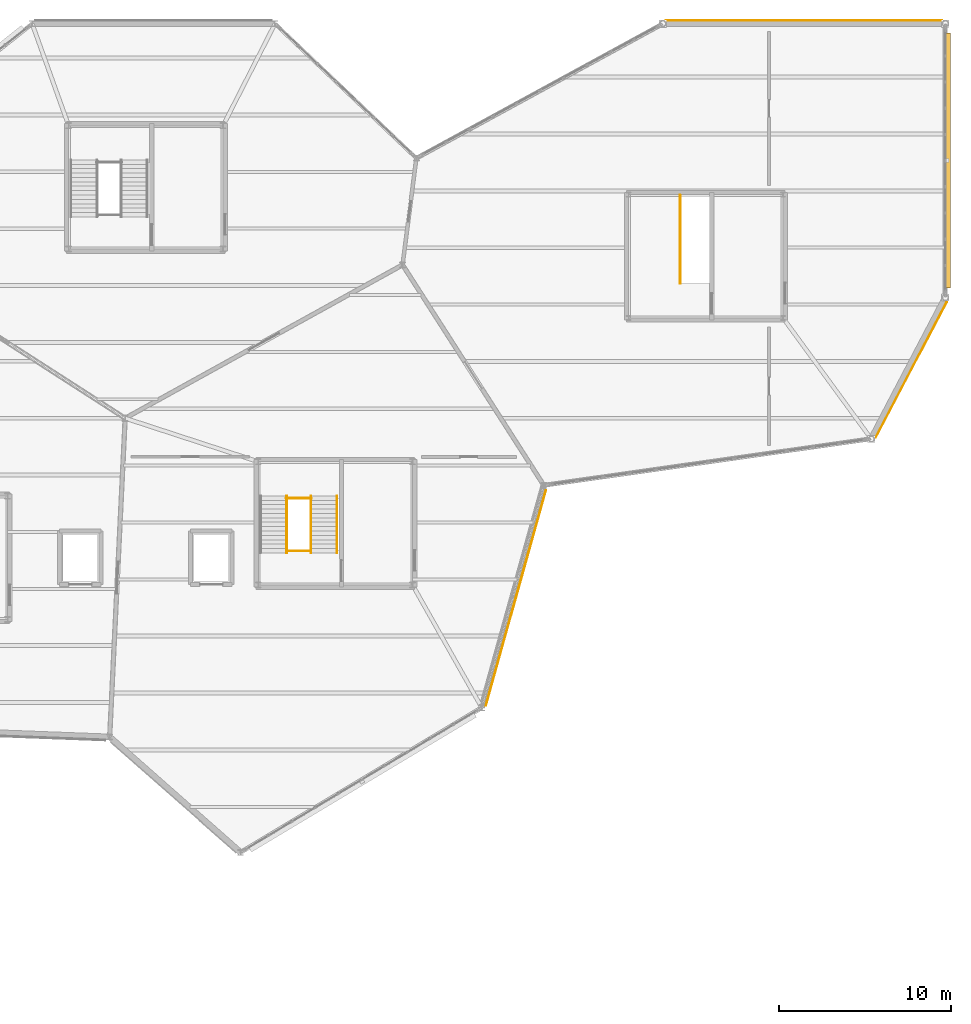
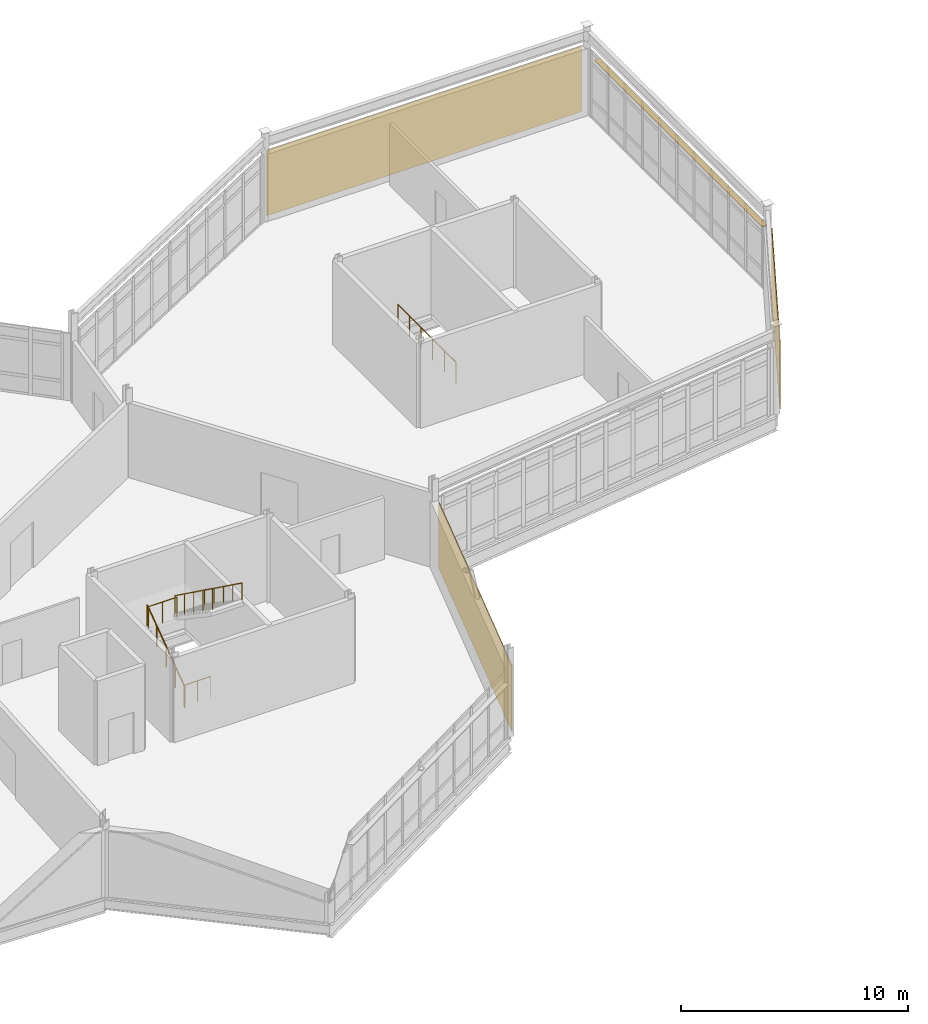
# One storey, part 114 of 114: 6 railings, 3 coverings, 1 shading device.
"""IFC4 building model written with IfcOpenShell, lengths in metres."""

from ifc_helpers import new_model, si_unit, direction, frame, frame_2d, origin, origin_2d, place, context, subcontext, project, spatial, rectangle, circle, extrude, material, layer, layer_set, type_object, element, save


model = new_model("IFC4")

# Units and contexts
model_context = context("Model", 3, precision=1e-05, world=origin(), true_north=direction((0.0, 1.0)))
body_context = subcontext(model_context, "Body", "Model", "MODEL_VIEW")
ifc_project = project(units=[si_unit("LENGTHUNIT", "METRE"), si_unit("AREAUNIT", "SQUARE_METRE"), si_unit("VOLUMEUNIT", "CUBIC_METRE"), si_unit("PLANEANGLEUNIT", "RADIAN"), si_unit("MASSUNIT", "GRAM", prefix="KILO")], contexts=[model_context])

# Site, building, storey
site_placement = place(None, origin())
site = spatial("IfcSite", under=ifc_project, at=site_placement, CompositionType="ELEMENT")
building_placement = place(site_placement, origin())
building = spatial("IfcBuilding", under=site, at=building_placement, Name="Tameran Prism Museum", CompositionType="ELEMENT")
storey_placement = place(building_placement, frame((0.0, 0.0, 10.199951171875)))
storey = spatial("IfcBuildingStorey", under=building, at=storey_placement, Name="L02", CompositionType="ELEMENT", Elevation=10.199951171875)

# Coverings
ifc_material_1 = material(Name="White Fluted Mineral Precast GRC", Category="concrete")
ifc_layer_1 = layer(ifc_material_1, 0.044921875)
ifc_layer_set_1 = layer_set([ifc_layer_1])
covering_type = type_object("IfcCoveringType", Name="CV-FLUTE-WHT", PredefinedType="CLADDING", material=ifc_layer_set_1)
covering_1_placement = place(storey_placement, frame((143.218994140625, 84.91796875, 0.050048828125), z_axis=(0.0, 0.0, 1.0), x_axis=(-0.268857839587, -0.963179870062, 0.0)))
element("IfcCovering", 1, at=covering_1_placement, inside=storey, type_object=covering_type, Name="Vertical Fluted White Precast Panel CL-0029", PredefinedType="CLADDING", context=body_context, shape_type="SweptSolid", body=[
    extrude(rectangle(XDim=12.9736328125, YDim=0.044921875, at=frame_2d((6.48681640625, 0.0))), origin(), (0.0, 0.0, 1.0), 3.52001953125),
])
covering_2_placement = place(storey_placement, frame((166.485107421875, 95.85205078125, 0.050048828125), z_axis=(0.0, 0.0, 1.0), x_axis=(-0.464435442835, -0.885606977976, 0.0)))
element("IfcCovering", 2, at=covering_2_placement, inside=storey, type_object=covering_type, Name="Vertical Fluted White Precast Panel CL-0032", PredefinedType="CLADDING", context=body_context, shape_type="SweptSolid", body=[
    extrude(rectangle(XDim=8.899169921875, YDim=0.044921875, at=frame_2d((4.44970703125, 0.0))), origin(), (0.0, 0.0, 1.0), 3.52001953125),
])
covering_3_placement = place(storey_placement, frame((150.179931640625, 112.18994140625, 0.050048828125), z_axis=(0.0, 0.0, 1.0), x_axis=(1.0, 0.0, 0.0)))
element("IfcCovering", 3, at=covering_3_placement, inside=storey, type_object=covering_type, Name="Vertical Fluted White Precast Panel CL-0033", PredefinedType="CLADDING", context=body_context, shape_type="SweptSolid", body=[
    extrude(rectangle(XDim=16.0400390625, YDim=0.044921875, at=frame_2d((8.02001953125, 0.0))), origin(), (0.0, 0.0, 1.0), 3.52001953125),
])

# Railings
ifc_material_2 = material(Name="Marine Stainless Steel 316", Category="steel")
ifc_layer_2 = layer(ifc_material_2, 0.054931640625)
ifc_layer_set_2 = layer_set([ifc_layer_2])
railing_type_1 = type_object("IfcRailingType", Name="RL-GR-1120", PredefinedType="GUARDRAIL", material=ifc_layer_set_2)
railing_1_placement = place(storey_placement, frame((128.18994140625, 81.39990234375, 0.0)))
element("IfcRailing", 4, at=railing_1_placement, inside=storey, type_object=railing_type_1, Name="Stair Well Slot Guard GR-S040", PredefinedType="GUARDRAIL", context=body_context, shape_type="SweptSolid", body=[
    extrude(circle(Radius=0.02392578125, at=origin_2d()), frame((0.0, 0.0, 1.1259765625), z_axis=(1.0, 0.0, 0.0), x_axis=(0.0, 1.0, 0.0)), (0.0, 0.0, 1.0), 1.3701171875),
    extrude(circle(Radius=0.02099609375, at=origin_2d()), origin(), (0.0, 0.0, 1.0), 1.101806640625),
    extrude(circle(Radius=0.02099609375, at=origin_2d()), frame((0.68505859375, 0.0, 0.0)), (0.0, 0.0, 1.0), 1.101806640625),
    extrude(circle(Radius=0.02099609375, at=origin_2d()), frame((1.3701171875, 0.0, 0.0)), (0.0, 0.0, 1.0), 1.101806640625),
])
railing_2_placement = place(storey_placement, frame((128.169921875, 81.280029296875, 0.0)))
element("IfcRailing", 5, at=railing_2_placement, inside=storey, type_object=railing_type_1, Name="Stair Well Guardrail GR-S041", PredefinedType="GUARDRAIL", context=body_context, shape_type="SweptSolid", body=[
    extrude(circle(Radius=0.02392578125, at=origin_2d()), frame((0.0, 0.0, 1.1259765625), z_axis=(0.0, 0.809980229442, 0.586457183359), x_axis=(-1.0, 0.0, 0.0)), (0.0, 0.0, 1.0), 4.092529296875),
    extrude(circle(Radius=0.02099609375, at=origin_2d()), origin(), (0.0, 0.0, 1.0), 1.101806640625),
    extrude(circle(Radius=0.02099609375, at=origin_2d()), frame((0.0, 0.82861328125, 0.60009765625)), (0.0, 0.0, 1.0), 1.101806640625),
    extrude(circle(Radius=0.02099609375, at=origin_2d()), frame((0.0, 1.657470703125, 1.2001953125)), (0.0, 0.0, 1.0), 1.101806640625),
    extrude(circle(Radius=0.02099609375, at=origin_2d()), frame((0.0, 2.486328125, 1.800048828125)), (0.0, 0.0, 1.0), 1.101806640625),
    extrude(circle(Radius=0.02099609375, at=origin_2d()), frame((0.0, 3.31494140625, 2.400146484375)), (0.0, 0.0, 1.0), 1.101806640625),
])
railing_3_placement = place(storey_placement, frame((129.580078125, 84.594970703125, 2.400146484375)))
element("IfcRailing", 6, at=railing_3_placement, inside=storey, type_object=railing_type_1, Name="Stair Well Guardrail GR-S042", PredefinedType="GUARDRAIL", context=body_context, shape_type="SweptSolid", body=[
    extrude(circle(Radius=0.02392578125, at=origin_2d()), frame((0.0, 0.0, 1.1259765625), z_axis=(0.0, -0.810008566192, 0.586418044312), x_axis=(1.0, 0.0, 0.0)), (0.0, 0.0, 1.0), 4.092529296875),
    extrude(circle(Radius=0.02099609375, at=origin_2d()), origin(), (0.0, 0.0, 1.0), 1.101806640625),
    extrude(circle(Radius=0.02099609375, at=origin_2d()), frame((0.0, -0.82861328125, 0.60009765625)), (0.0, 0.0, 1.0), 1.101806640625),
    extrude(circle(Radius=0.02099609375, at=origin_2d()), frame((0.0, -1.657470703125, 1.199951171875)), (0.0, 0.0, 1.0), 1.101806640625),
    extrude(circle(Radius=0.02099609375, at=origin_2d()), frame((0.0, -2.486328125, 1.7998046875)), (0.0, 0.0, 1.0), 1.101806640625),
    extrude(circle(Radius=0.02099609375, at=origin_2d()), frame((0.0, -3.31494140625, 2.39990234375)), (0.0, 0.0, 1.0), 1.101806640625),
])
railing_4_placement = place(storey_placement, frame((128.14990234375, 84.455078125, 2.400146484375)))
element("IfcRailing", 7, at=railing_4_placement, inside=storey, type_object=railing_type_1, Name="Landing Well Guardrail GR-S043", PredefinedType="GUARDRAIL", context=body_context, shape_type="SweptSolid", body=[
    extrude(circle(Radius=0.02392578125, at=origin_2d()), frame((0.0, 0.0, 1.1259765625), z_axis=(1.0, 0.0, 0.0), x_axis=(0.0, 1.0, 0.0)), (0.0, 0.0, 1.0), 1.4501953125),
    extrude(circle(Radius=0.02099609375, at=origin_2d()), origin(), (0.0, 0.0, 1.0), 1.101806640625),
    extrude(circle(Radius=0.02099609375, at=origin_2d()), frame((0.72509765625, 0.0, 0.0)), (0.0, 0.0, 1.0), 1.101806640625),
    extrude(circle(Radius=0.02099609375, at=origin_2d()), frame((1.4501953125, 0.0, 0.0)), (0.0, 0.0, 1.0), 1.101806640625),
])
railing_5_placement = place(storey_placement, frame((151.010009765625, 96.919921875, 0.0)))
element("IfcRailing", 8, at=railing_5_placement, inside=storey, type_object=railing_type_1, Name="Stair Well Slot Guard GR-S184", PredefinedType="GUARDRAIL", context=body_context, shape_type="SweptSolid", body=[
    extrude(circle(Radius=0.02392578125, at=origin_2d()), frame((0.0, 0.0, 1.1259765625), z_axis=(0.0, 1.0, 0.0), x_axis=(-1.0, 0.0, 0.0)), (0.0, 0.0, 1.0), 5.130126953125),
    extrude(circle(Radius=0.02099609375, at=origin_2d()), origin(), (0.0, 0.0, 1.0), 1.101806640625),
    extrude(circle(Radius=0.02099609375, at=origin_2d()), frame((0.0, 1.026123046875, 0.0)), (0.0, 0.0, 1.0), 1.101806640625),
    extrude(circle(Radius=0.02099609375, at=origin_2d()), frame((0.0, 2.052001953125, 0.0)), (0.0, 0.0, 1.0), 1.101806640625),
    extrude(circle(Radius=0.02099609375, at=origin_2d()), frame((0.0, 3.078125, 0.0)), (0.0, 0.0, 1.0), 1.101806640625),
    extrude(circle(Radius=0.02099609375, at=origin_2d()), frame((0.0, 4.10400390625, 0.0)), (0.0, 0.0, 1.0), 1.101806640625),
    extrude(circle(Radius=0.02099609375, at=origin_2d()), frame((0.0, 5.130126953125, 0.0)), (0.0, 0.0, 1.0), 1.101806640625),
])
ifc_material_3 = material(Name="Brushed Stainless Steel 316", Category="steel")
ifc_layer_3 = layer(ifc_material_3, 0.048095703125)
ifc_layer_set_3 = layer_set([ifc_layer_3])
railing_type_2 = type_object("IfcRailingType", Name="RL-HR-920", PredefinedType="HANDRAIL", material=ifc_layer_set_3)
railing_6_placement = place(storey_placement, frame((131.090087890625, 84.594970703125, 2.400146484375)))
element("IfcRailing", 9, at=railing_6_placement, inside=storey, type_object=railing_type_2, Name="Stair Flight Handrail HR-022", PredefinedType="HANDRAIL", context=body_context, shape_type="SweptSolid", body=[
    extrude(circle(Radius=0.02392578125, at=origin_2d()), frame((0.0, 0.0, 0.89599609375), z_axis=(0.0, -0.810008566192, 0.586418044312), x_axis=(1.0, 0.0, 0.0)), (0.0, 0.0, 1.0), 4.092529296875),
    extrude(circle(Radius=0.02099609375, at=origin_2d()), origin(), (0.0, 0.0, 1.0), 0.871826171875),
    extrude(circle(Radius=0.02099609375, at=origin_2d()), frame((0.0, -0.82861328125, 0.60009765625)), (0.0, 0.0, 1.0), 0.871826171875),
    extrude(circle(Radius=0.02099609375, at=origin_2d()), frame((0.0, -1.657470703125, 1.199951171875)), (0.0, 0.0, 1.0), 0.871826171875),
    extrude(circle(Radius=0.02099609375, at=origin_2d()), frame((0.0, -2.486328125, 1.7998046875)), (0.0, 0.0, 1.0), 0.871826171875),
    extrude(circle(Radius=0.02099609375, at=origin_2d()), frame((0.0, -3.31494140625, 2.39990234375)), (0.0, 0.0, 1.0), 0.871826171875),
])

# Shading device
ifc_material_4 = material(Name="Anodised Aluminium Alloy 6063-T6", Category="aluminium")
ifc_layer_4 = layer(ifc_material_4, 0.044921875)
ifc_layer_set_4 = layer_set([ifc_layer_4])
shading_device_type = type_object("IfcShadingDeviceType", Name="SH-JAL-240", PredefinedType="JALOUSIE", material=ifc_layer_set_4)
shading_device_placement = place(storey_placement, frame((166.580078125, 104.050048828125, 3.14013671875), z_axis=(0.0, 0.0, 1.0), x_axis=(0.0, -1.0, 0.0)))
element("IfcShadingDevice", 10, at=shading_device_placement, inside=storey, type_object=shading_device_type, Name="Monsoon Storm Louvre SLV-042", PredefinedType="JALOUSIE", context=body_context, shape_type="SweptSolid", body=[
    extrude(rectangle(XDim=14.800048828125, YDim=0.260009765625, at=origin_2d()), origin(), (0.0, 0.0, 1.0), 0.06005859375),
])

save(model, "model.ifc")
